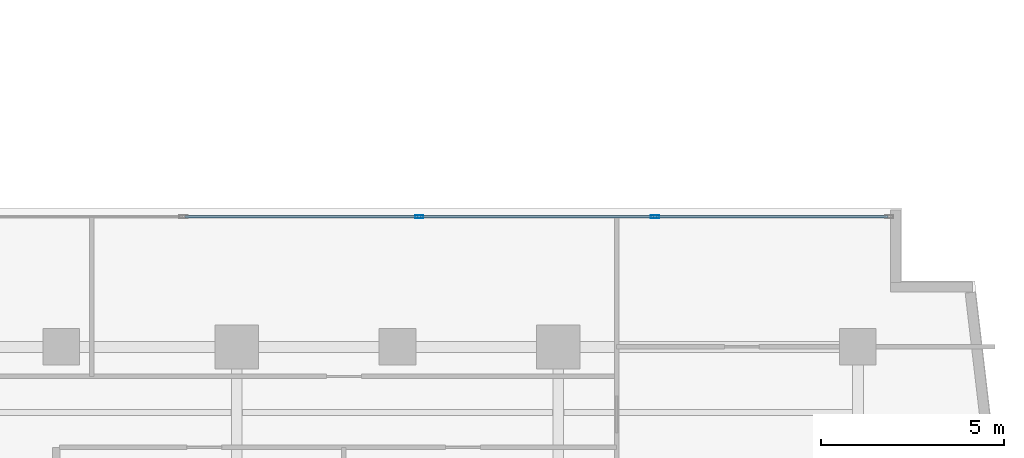
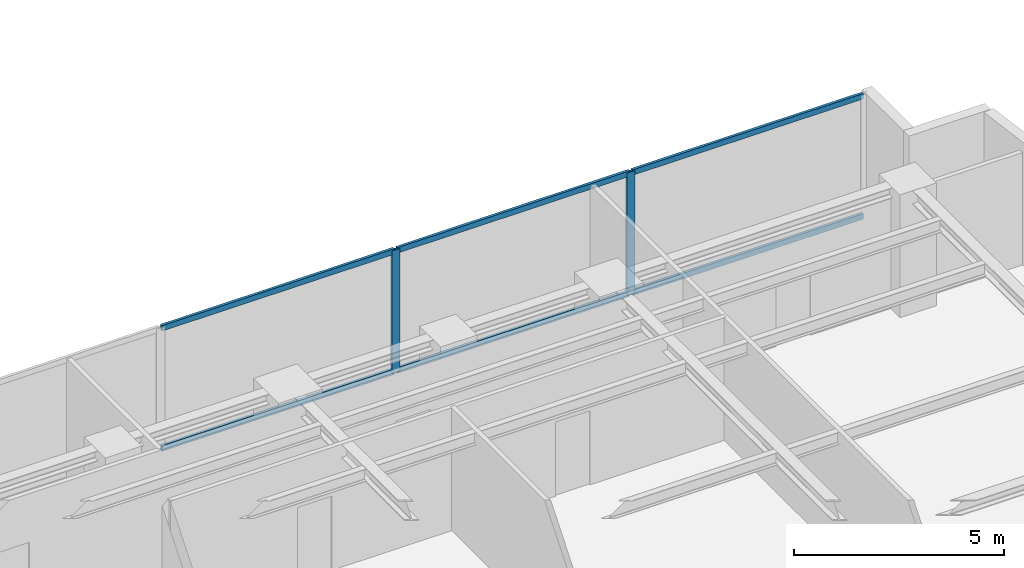
# One storey, part 14 of 27: 8 members, 1 element without a shape of its own.
"""IFC4 building model written with IfcOpenShell, lengths in metres."""

from ifc_helpers import new_model, si_unit, direction, frame, origin, origin_with_axes, origin_2d, place, context, subcontext, project, spatial, hollow_rectangle, extrude, source, transform, mapped, material, layer, layer_set, material_profile, profile_set, type_object, element, aggregate, save


model = new_model("IFC4")

# Units and contexts
model_context = context("Model", 3, precision=1e-05, world=origin(), true_north=direction((0.0, 1.0)))
body_context = subcontext(model_context, "Body", "Model", "MODEL_VIEW")
ifc_project = project(units=[si_unit("LENGTHUNIT", "METRE"), si_unit("AREAUNIT", "SQUARE_METRE"), si_unit("VOLUMEUNIT", "CUBIC_METRE"), si_unit("PLANEANGLEUNIT", "RADIAN"), si_unit("MASSUNIT", "GRAM", prefix="KILO")], contexts=[model_context])

# Site, building, storey
site_placement = place(None, origin())
site = spatial("IfcSite", under=ifc_project, at=site_placement, CompositionType="ELEMENT")
building_placement = place(site_placement, origin())
building = spatial("IfcBuilding", under=site, at=building_placement, Name="Kolvaren Waterfront Exchange", CompositionType="ELEMENT")
storey_placement = place(building_placement, frame((0.0, 0.0, 191.800048828125)))
storey = spatial("IfcBuildingStorey", under=building, at=storey_placement, Name="L49", CompositionType="ELEMENT", Elevation=191.800048828125)

# Curtain wall, members
ifc_material_1 = material(Name="Anodised bronze aluminium 6063-T6", Category="aluminium")
ifc_layer = layer(ifc_material_1, 0.219970703125, Name="Anodised bronze aluminium 6063-T6")
ifc_layer_set = layer_set([ifc_layer], Name="Anodised bronze aluminium 6063-T6")
curtain_wall_type = type_object("IfcCurtainWallType", Name="ARC-CW-SYS1", PredefinedType="USERDEFINED", material=ifc_layer_set)
curtain_wall_placement = place(storey_placement, origin())
curtain_wall = element("IfcCurtainWall", 1, at=curtain_wall_placement, inside=storey, type_object=curtain_wall_type, Name="L49 stick curtain wall CW1 (CW-L49-EN)", ObjectType="STICK CURTAIN WALL", PredefinedType="USERDEFINED")
ifc_material_2 = material(Name="Anodised aluminium 6063-T6", Category="aluminium")
ifc_material_profile_1 = material_profile(ifc_material_2, hollow_rectangle(XDim=0.080078125, YDim=0.219970703125, WallThickness=0.0048828125, at=origin_2d()), Name="ALU-MUL-220x80x5")
ifc_profile_set_1 = profile_set([ifc_material_profile_1], Name="Anodised aluminium 6063-T6")
member_type_1 = type_object("IfcMemberType", Name="ARC-CWM-220", PredefinedType="MULLION", material=ifc_profile_set_1)
shared_shape_1 = source(origin_with_axes(), body_context, "Body", "SweptSolid", [
    extrude(hollow_rectangle(XDim=0.080078125, YDim=0.219970703125, WallThickness=0.0048828125, at=origin_2d()), origin(), (0.0, 0.0, 1.0), 3.56005859375),
])
member_1_placement = place(storey_placement, frame((41.794921875, 20.9599609375, 0.0), z_axis=(0.0, 0.0, 1.0), x_axis=(0.0, 1.0, 0.0)))
member_1 = element("IfcMember", 2, at=member_1_placement, type_object=member_type_1, Name="CW1 mullion 3", PredefinedType="MULLION", context=body_context, shape_type="MappedRepresentation", body=[
    mapped(shared_shape_1, transform((0.0, 0.0, 0.0), x_axis=(1.0, 0.0, 0.0), y_axis=(0.0, 1.0, 0.0), z_axis=(0.0, 0.0, 1.0), scale=1.0)),
])
member_2_placement = place(storey_placement, frame((48.24755859375, 20.9599609375, 0.0), z_axis=(0.0, 0.0, 1.0), x_axis=(0.0, 1.0, 0.0)))
member_2 = element("IfcMember", 3, at=member_2_placement, type_object=member_type_1, Name="CW1 mullion 4", PredefinedType="MULLION", context=body_context, shape_type="MappedRepresentation", body=[
    mapped(shared_shape_1, transform((0.0, 0.0, 0.0), x_axis=(1.0, 0.0, 0.0), y_axis=(0.0, 1.0, 0.0), z_axis=(0.0, 0.0, 1.0), scale=1.0)),
])
ifc_material_profile_2 = material_profile(ifc_material_2, hollow_rectangle(XDim=0.074951171875, YDim=0.159912109375, WallThickness=0.00439453125, at=origin_2d()), Name="ALU-TRN-160x75x4.5")
ifc_profile_set_2 = profile_set([ifc_material_profile_2], Name="Anodised aluminium 6063-T6")
member_type_2 = type_object("IfcMemberType", Name="ARC-CWT-160", PredefinedType="USERDEFINED", material=ifc_profile_set_2)
shared_shape_2 = source(origin_with_axes(), body_context, "Body", "SweptSolid", [
    extrude(hollow_rectangle(XDim=0.074951171875, YDim=0.159912109375, WallThickness=0.00439453125, at=origin_2d()), origin(), (0.0, 0.0, 1.0), 6.33251953125),
])
member_3_placement = place(storey_placement, frame((48.28759765625, 20.9599609375, 0.037353515625), z_axis=(1.0, 0.0, 0.0), x_axis=(0.0, 1.0, 0.0)))
member_3 = element("IfcMember", 4, at=member_3_placement, type_object=member_type_2, Name="CW1 transom 4.1", ObjectType="TRANSOM", PredefinedType="USERDEFINED", context=body_context, shape_type="MappedRepresentation", body=[
    mapped(shared_shape_2, transform((0.0, 0.0, 0.0), x_axis=(1.0, 0.0, 0.0), y_axis=(0.0, 1.0, 0.0), z_axis=(0.0, 0.0, 1.0), scale=1.0)),
])
member_4_placement = place(storey_placement, frame((48.28759765625, 20.9599609375, 3.5224609375), z_axis=(1.0, 0.0, 0.0), x_axis=(0.0, 1.0, 0.0)))
member_4 = element("IfcMember", 5, at=member_4_placement, type_object=member_type_2, Name="CW1 transom 4.2", ObjectType="TRANSOM", PredefinedType="USERDEFINED", context=body_context, shape_type="MappedRepresentation", body=[
    mapped(shared_shape_2, transform((0.0, 0.0, 0.0), x_axis=(1.0, 0.0, 0.0), y_axis=(0.0, 1.0, 0.0), z_axis=(0.0, 0.0, 1.0), scale=1.0)),
])
shared_shape_3 = source(origin_with_axes(), body_context, "Body", "SweptSolid", [
    extrude(hollow_rectangle(XDim=0.074951171875, YDim=0.159912109375, WallThickness=0.00439453125, at=origin_2d()), origin(), (0.0, 0.0, 1.0), 6.372314453125),
])
member_5_placement = place(storey_placement, frame((35.382568359375, 20.9599609375, 0.037353515625), z_axis=(1.0, 0.0, 0.0), x_axis=(0.0, 1.0, 0.0)))
member_5 = element("IfcMember", 6, at=member_5_placement, type_object=member_type_2, Name="CW1 transom 2.1", ObjectType="TRANSOM", PredefinedType="USERDEFINED", context=body_context, shape_type="MappedRepresentation", body=[
    mapped(shared_shape_3, transform((0.0, 0.0, 0.0), x_axis=(1.0, 0.0, 0.0), y_axis=(0.0, 1.0, 0.0), z_axis=(0.0, 0.0, 1.0), scale=1.0)),
])
member_6_placement = place(storey_placement, frame((35.382568359375, 20.9599609375, 3.5224609375), z_axis=(1.0, 0.0, 0.0), x_axis=(0.0, 1.0, 0.0)))
member_6 = element("IfcMember", 7, at=member_6_placement, type_object=member_type_2, Name="CW1 transom 2.2", ObjectType="TRANSOM", PredefinedType="USERDEFINED", context=body_context, shape_type="MappedRepresentation", body=[
    mapped(shared_shape_3, transform((0.0, 0.0, 0.0), x_axis=(1.0, 0.0, 0.0), y_axis=(0.0, 1.0, 0.0), z_axis=(0.0, 0.0, 1.0), scale=1.0)),
])
shared_shape_4 = source(origin_with_axes(), body_context, "Body", "SweptSolid", [
    extrude(hollow_rectangle(XDim=0.074951171875, YDim=0.159912109375, WallThickness=0.00439453125, at=origin_2d()), origin(), (0.0, 0.0, 1.0), 6.37255859375),
])
member_7_placement = place(storey_placement, frame((41.8349609375, 20.9599609375, 0.037353515625), z_axis=(1.0, 0.0, 0.0), x_axis=(0.0, 1.0, 0.0)))
member_7 = element("IfcMember", 8, at=member_7_placement, type_object=member_type_2, Name="CW1 transom 3.1", ObjectType="TRANSOM", PredefinedType="USERDEFINED", context=body_context, shape_type="MappedRepresentation", body=[
    mapped(shared_shape_4, transform((0.0, 0.0, 0.0), x_axis=(1.0, 0.0, 0.0), y_axis=(0.0, 1.0, 0.0), z_axis=(0.0, 0.0, 1.0), scale=1.0)),
])
member_8_placement = place(storey_placement, frame((41.8349609375, 20.9599609375, 3.5224609375), z_axis=(1.0, 0.0, 0.0), x_axis=(0.0, 1.0, 0.0)))
member_8 = element("IfcMember", 9, at=member_8_placement, type_object=member_type_2, Name="CW1 transom 3.2", ObjectType="TRANSOM", PredefinedType="USERDEFINED", context=body_context, shape_type="MappedRepresentation", body=[
    mapped(shared_shape_4, transform((0.0, 0.0, 0.0), x_axis=(1.0, 0.0, 0.0), y_axis=(0.0, 1.0, 0.0), z_axis=(0.0, 0.0, 1.0), scale=1.0)),
])
aggregate(curtain_wall, [member_1, member_2, member_5, member_6, member_7, member_8, member_3, member_4])

save(model, "model.ifc")
